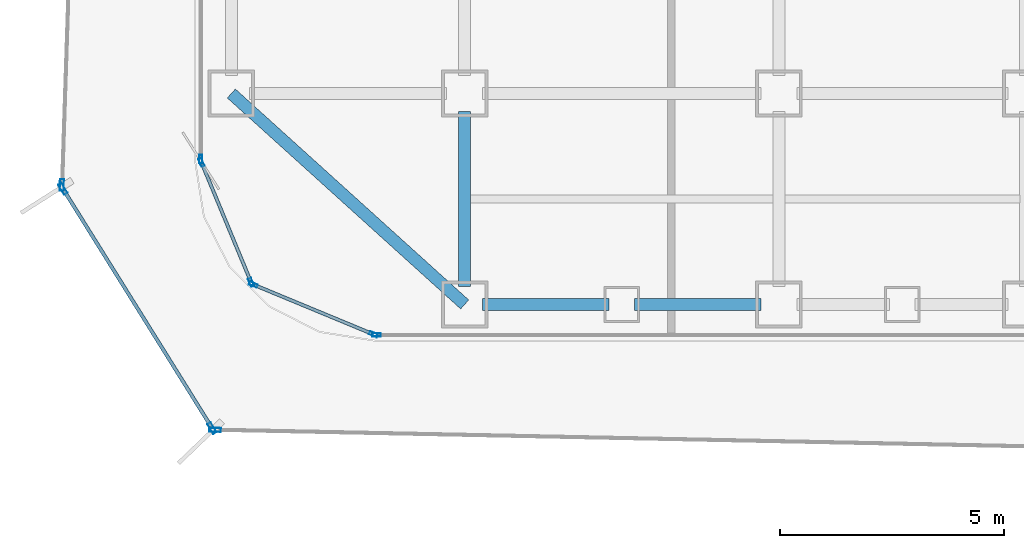
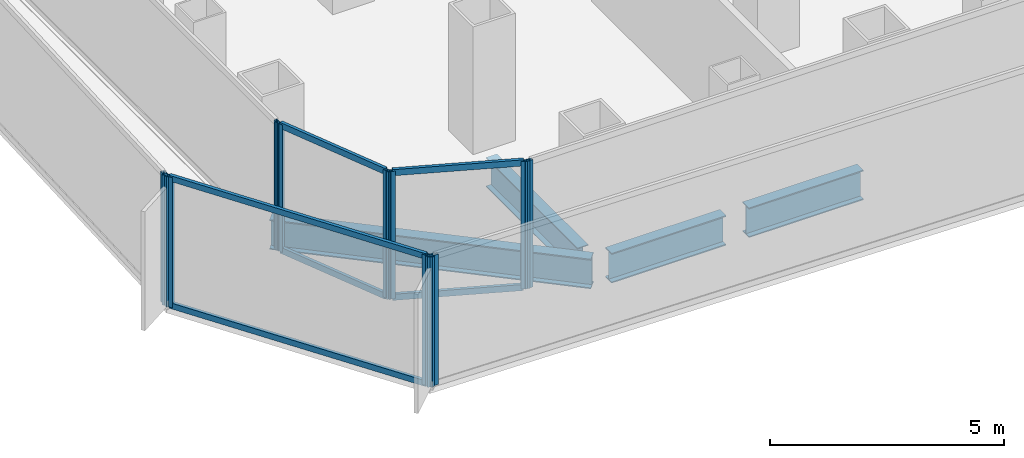
# One storey, part 2 of 21: 16 members, 4 beams, 7 elements without a shape of their own.
"""IFC4 building model written with IfcOpenShell, lengths in metres."""

from ifc_helpers import new_model, si_unit, direction, frame, origin, origin_2d, place, context, subcontext, project, spatial, hollow_rectangle, i_section, extrude, source, transform, mapped, material, layer, layer_set, material_profile, profile_set, type_object, element, aggregate, save


model = new_model("IFC4")

# Units and contexts
model_context = context("Model", 3, precision=1e-05, world=origin(), true_north=direction((0.0, 1.0)))
body_context = subcontext(model_context, "Body", "Model", "MODEL_VIEW")
ifc_project = project(units=[si_unit("LENGTHUNIT", "METRE"), si_unit("AREAUNIT", "SQUARE_METRE"), si_unit("VOLUMEUNIT", "CUBIC_METRE"), si_unit("PLANEANGLEUNIT", "RADIAN"), si_unit("MASSUNIT", "GRAM", prefix="KILO")], contexts=[model_context])

# Site, building, storey
site_placement = place(None, origin())
site = spatial("IfcSite", under=ifc_project, at=site_placement, CompositionType="ELEMENT")
building_placement = place(site_placement, origin())
building = spatial("IfcBuilding", under=site, at=building_placement, Name="Kolveth Station Tower", CompositionType="ELEMENT")
storey_placement = place(building_placement, frame((0.0, 0.0, 47.699951171875)))
storey = spatial("IfcBuildingStorey", under=building, at=storey_placement, Name="L12", CompositionType="ELEMENT", Elevation=47.699951171875)

# Beams
ifc_material_1 = material(Name="Steel S355", Category="steel")
ifc_material_profile_1 = material_profile(ifc_material_1, i_section(OverallWidth=0.26904296875, OverallDepth=0.77490234375, WebThickness=0.01708984375, FlangeThickness=0.0283203125, at=origin_2d()), Name="W760x220")
ifc_profile_set_1 = profile_set([ifc_material_profile_1], Name="Steel S355")
beam_type_1 = type_object("IfcBeamType", Name="Beam_SP1", PredefinedType="SPANDREL", material=ifc_profile_set_1)
shared_shape_1 = source(origin(), body_context, "Body", "SweptSolid", [
    extrude(i_section(OverallWidth=0.26904296875, OverallDepth=0.77490234375, WebThickness=0.01708984375, FlangeThickness=0.0283203125, at=origin_2d()), origin(), (0.0, 0.0, 1.0), 7.00927734375),
])
beam_1_placement = place(storey_placement, frame((0.800048828125, 5.5, -0.66748046875), z_axis=(0.741874009795, -0.670539300557, 0.0), x_axis=(0.670539300557, 0.741874009795, 0.0)))
element("IfcBeam", 1, at=beam_1_placement, inside=storey, type_object=beam_type_1, Name="L12 Corner Edge Girder BM-L12-CNR-SW", PredefinedType="SPANDREL", context=body_context, shape_type="MappedRepresentation", body=[
    mapped(shared_shape_1, transform((0.0, 0.0, 0.0), x_axis=(1.0, 0.0, 0.0), y_axis=(0.0, 1.0, 0.0), z_axis=(0.0, 0.0, 1.0), scale=1.0)),
])
shared_shape_2 = source(origin(), body_context, "Body", "SweptSolid", [
    extrude(i_section(OverallWidth=0.26904296875, OverallDepth=0.77490234375, WebThickness=0.01708984375, FlangeThickness=0.0283203125, at=origin_2d()), origin(), (0.0, 0.0, 1.0), 2.820068359375),
])
for number, where, z_axis, x_axis, name in (
    (2, (6.39990234375, 0.800048828125, -0.66748046875), (1.0, 0.0, 0.0), (0.0, 1.0, 0.0), "L12 Perimeter Spandrel BM-L12-PS-1"),
    (3, (9.780029296875, 0.800048828125, -0.66748046875), (1.0, 0.0, 0.0), (0.0, 1.0, 0.0), "L12 Perimeter Spandrel BM-L12-PS-2"),
):
    element("IfcBeam", number, at=place(storey_placement, frame(where, z_axis=z_axis, x_axis=x_axis)), inside=storey, type_object=beam_type_1, Name=name, PredefinedType="SPANDREL", context=body_context, shape_type="MappedRepresentation", body=[
        mapped(shared_shape_2, transform((0.0, 0.0, 0.0), x_axis=(1.0, 0.0, 0.0), y_axis=(0.0, 1.0, 0.0), z_axis=(0.0, 0.0, 1.0), scale=1.0)),
    ])
ifc_material_profile_2 = material_profile(ifc_material_1, i_section(OverallWidth=0.26708984375, OverallDepth=0.76611328125, WebThickness=0.014892578125, FlangeThickness=0.023681640625, at=origin_2d()), Name="W760x185")
ifc_profile_set_2 = profile_set([ifc_material_profile_2], Name="Steel S355")
beam_type_2 = type_object("IfcBeamType", Name="Beam_B3", PredefinedType="BEAM", material=ifc_profile_set_2)
shared_shape_3 = source(origin(), body_context, "Body", "SweptSolid", [
    extrude(i_section(OverallWidth=0.26708984375, OverallDepth=0.76611328125, WebThickness=0.014892578125, FlangeThickness=0.023681640625, at=origin_2d()), origin(), (0.0, 0.0, 1.0), 3.900146484375),
])
beam_2_placement = place(storey_placement, frame((6.0, 1.199951171875, -0.662841796875), z_axis=(0.0, 1.0, 0.0), x_axis=(-1.0, 0.0, 0.0)))
element("IfcBeam", 4, at=beam_2_placement, inside=storey, type_object=beam_type_2, Name="L12 Primary Girder BM-L12-GX60-1", PredefinedType="BEAM", context=body_context, shape_type="MappedRepresentation", body=[
    mapped(shared_shape_3, transform((0.0, 0.0, 0.0), x_axis=(1.0, 0.0, 0.0), y_axis=(0.0, 1.0, 0.0), z_axis=(0.0, 0.0, 1.0), scale=1.0)),
])

# Curtain wall, member
ifc_material_2 = material(Name="Aluminium 6063-T6 and low-E dark glass", Category="aluminium")
ifc_layer_1 = layer(ifc_material_2, 0.179931640625)
ifc_layer_set_1 = layer_set([ifc_layer_1], Name="Aluminium 6063-T6 and low-E dark glass")
curtain_wall_type_1 = type_object("IfcCurtainWallType", Name="CurtainWall_CW-Z1", PredefinedType="NOTDEFINED", material=ifc_layer_set_1)
curtain_wall_1_placement = place(storey_placement, origin())
curtain_wall_1 = element("IfcCurtainWall", 5, at=curtain_wall_1_placement, inside=storey, type_object=curtain_wall_type_1, Name="L12 Inner Thermal Curtain Wall 9", PredefinedType="NOTDEFINED")
ifc_material_3 = material(Name="Black anodized aluminium 6063-T6", Category="aluminium")
ifc_material_profile_3 = material_profile(ifc_material_3, hollow_rectangle(XDim=0.074951171875, YDim=0.18994140625, WallThickness=0.0048828125, at=origin_2d()), Name="ALU-75x190x5")
ifc_profile_set_3 = profile_set([ifc_material_profile_3], Name="Black anodized aluminium 6063-T6")
member_type_1 = type_object("IfcMemberType", Name="Mullion_ML1", PredefinedType="MULLION", material=ifc_profile_set_3)
shared_shape_4 = source(origin(), body_context, "Body", "SweptSolid", [
    extrude(hollow_rectangle(XDim=0.074951171875, YDim=0.18994140625, WallThickness=0.0048828125, at=origin_2d()), origin(), (0.0, 0.0, 1.0), 3.320068359375),
])
member_1_placement = place(storey_placement, frame((0.1201171875, 4.03759765625, 0.0), z_axis=(0.0, 0.0, 1.0), x_axis=(1.0, 0.0, 0.0)))
member_1 = element("IfcMember", 6, at=member_1_placement, type_object=member_type_1, Name="CW-Z1 mullion 2", PredefinedType="MULLION", context=body_context, shape_type="MappedRepresentation", body=[
    mapped(shared_shape_4, transform((0.0, 0.0, 0.0), x_axis=(1.0, 0.0, 0.0), y_axis=(0.0, 1.0, 0.0), z_axis=(0.0, 0.0, 1.0), scale=1.0)),
])
aggregate(curtain_wall_1, [member_1])

# Curtain wall, members
curtain_wall_2_placement = place(storey_placement, origin())
curtain_wall_2 = element("IfcCurtainWall", 7, at=curtain_wall_2_placement, inside=storey, type_object=curtain_wall_type_1, Name="L12 Inner Thermal Curtain Wall 10", PredefinedType="NOTDEFINED")
member_2_placement = place(storey_placement, frame((0.13427734375, 3.96533203125, 0.0), z_axis=(0.0, 0.0, 1.0), x_axis=(0.923883857728, 0.382672990201, 0.0)))
member_2 = element("IfcMember", 8, at=member_2_placement, type_object=member_type_1, Name="CW-Z1 mullion 1", PredefinedType="MULLION", context=body_context, shape_type="MappedRepresentation", body=[
    mapped(shared_shape_4, transform((0.0, 0.0, 0.0), x_axis=(1.0, 0.0, 0.0), y_axis=(0.0, 1.0, 0.0), z_axis=(0.0, 0.0, 1.0), scale=1.0)),
])
member_3_placement = place(storey_placement, frame((1.241943359375, 1.291015625, 0.0), z_axis=(0.0, 0.0, 1.0), x_axis=(0.923883857728, 0.382672990201, 0.0)))
member_3 = element("IfcMember", 9, at=member_3_placement, type_object=member_type_1, Name="CW-Z1 mullion 2", PredefinedType="MULLION", context=body_context, shape_type="MappedRepresentation", body=[
    mapped(shared_shape_4, transform((0.0, 0.0, 0.0), x_axis=(1.0, 0.0, 0.0), y_axis=(0.0, 1.0, 0.0), z_axis=(0.0, 0.0, 1.0), scale=1.0)),
])

curtain_wall_3_placement = place(storey_placement, origin())
curtain_wall_3 = element("IfcCurtainWall", 10, at=curtain_wall_3_placement, inside=storey, type_object=curtain_wall_type_1, Name="L12 Inner Thermal Curtain Wall 11", PredefinedType="NOTDEFINED")
member_4_placement = place(storey_placement, frame((1.291015625, 1.241943359375, 0.0), z_axis=(0.0, 0.0, 1.0), x_axis=(0.382672990201, 0.923883857728, 0.0)))
member_4 = element("IfcMember", 11, at=member_4_placement, type_object=member_type_1, Name="CW-Z1 mullion 1", PredefinedType="MULLION", context=body_context, shape_type="MappedRepresentation", body=[
    mapped(shared_shape_4, transform((0.0, 0.0, 0.0), x_axis=(1.0, 0.0, 0.0), y_axis=(0.0, 1.0, 0.0), z_axis=(0.0, 0.0, 1.0), scale=1.0)),
])
member_5_placement = place(storey_placement, frame((3.96533203125, 0.13427734375, 0.0), z_axis=(0.0, 0.0, 1.0), x_axis=(0.382672990201, 0.923883857728, 0.0)))
member_5 = element("IfcMember", 12, at=member_5_placement, type_object=member_type_1, Name="CW-Z1 mullion 2", PredefinedType="MULLION", context=body_context, shape_type="MappedRepresentation", body=[
    mapped(shared_shape_4, transform((0.0, 0.0, 0.0), x_axis=(1.0, 0.0, 0.0), y_axis=(0.0, 1.0, 0.0), z_axis=(0.0, 0.0, 1.0), scale=1.0)),
])

# Curtain wall, member
curtain_wall_4_placement = place(storey_placement, origin())
curtain_wall_4 = element("IfcCurtainWall", 13, at=curtain_wall_4_placement, inside=storey, type_object=curtain_wall_type_1, Name="L12 Inner Thermal Curtain Wall 12", PredefinedType="NOTDEFINED")
member_6_placement = place(storey_placement, frame((4.03759765625, 0.1201171875, 0.0), z_axis=(0.0, 0.0, 1.0), x_axis=(0.0, 1.0, 0.0)))
member_6 = element("IfcMember", 14, at=member_6_placement, type_object=member_type_1, Name="CW-Z1 mullion 1", PredefinedType="MULLION", context=body_context, shape_type="MappedRepresentation", body=[
    mapped(shared_shape_4, transform((0.0, 0.0, 0.0), x_axis=(1.0, 0.0, 0.0), y_axis=(0.0, 1.0, 0.0), z_axis=(0.0, 0.0, 1.0), scale=1.0)),
])
aggregate(curtain_wall_4, [member_6])

# Member
ifc_material_profile_4 = material_profile(ifc_material_3, hollow_rectangle(XDim=0.074951171875, YDim=0.159912109375, WallThickness=0.0048828125, at=origin_2d()), Name="ALU-75x160x5")
ifc_profile_set_4 = profile_set([ifc_material_profile_4], Name="Black anodized aluminium 6063-T6")
member_type_2 = type_object("IfcMemberType", Name="Transom_TR1", PredefinedType="USERDEFINED", material=ifc_profile_set_4)
shared_shape_5 = source(origin(), body_context, "Body", "SweptSolid", [
    extrude(hollow_rectangle(XDim=0.074951171875, YDim=0.159912109375, WallThickness=0.0048828125, at=origin_2d()), origin(), (0.0, 0.0, 1.0), 2.819580078125),
])
member_7_placement = place(storey_placement, frame((0.148681640625, 3.9306640625, 0.03759765625), z_axis=(0.382708655389, -0.923869084389, 0.0), x_axis=(0.923869084389, 0.382708655389, 0.0)))
member_7 = element("IfcMember", 15, at=member_7_placement, type_object=member_type_2, Name="CW-Z1 transom 1.1", ObjectType="TRANSOM", PredefinedType="USERDEFINED", context=body_context, shape_type="MappedRepresentation", body=[
    mapped(shared_shape_5, transform((0.0, 0.0, 0.0), x_axis=(1.0, 0.0, 0.0), y_axis=(0.0, 1.0, 0.0), z_axis=(0.0, 0.0, 1.0), scale=1.0)),
])

member_8_placement = place(storey_placement, frame((0.148681640625, 3.9306640625, 3.282470703125), z_axis=(0.382708655389, -0.923869084389, 0.0), x_axis=(0.923869084389, 0.382708655389, 0.0)))
member_8 = element("IfcMember", 16, at=member_8_placement, type_object=member_type_2, Name="CW-Z1 transom 1.2", ObjectType="TRANSOM", PredefinedType="USERDEFINED", context=body_context, shape_type="MappedRepresentation", body=[
    mapped(shared_shape_5, transform((0.0, 0.0, 0.0), x_axis=(1.0, 0.0, 0.0), y_axis=(0.0, 1.0, 0.0), z_axis=(0.0, 0.0, 1.0), scale=1.0)),
])

aggregate(curtain_wall_2, [member_2, member_3, member_7, member_8])

member_9_placement = place(storey_placement, frame((1.32568359375, 1.227783203125, 0.03759765625), z_axis=(0.923869084389, -0.382708655389, 0.0), x_axis=(0.382708655389, 0.923869084389, 0.0)))
member_9 = element("IfcMember", 17, at=member_9_placement, type_object=member_type_2, Name="CW-Z1 transom 1.1", ObjectType="TRANSOM", PredefinedType="USERDEFINED", context=body_context, shape_type="MappedRepresentation", body=[
    mapped(shared_shape_5, transform((0.0, 0.0, 0.0), x_axis=(1.0, 0.0, 0.0), y_axis=(0.0, 1.0, 0.0), z_axis=(0.0, 0.0, 1.0), scale=1.0)),
])

member_10_placement = place(storey_placement, frame((1.32568359375, 1.227783203125, 3.282470703125), z_axis=(0.923869084389, -0.382708655389, 0.0), x_axis=(0.382708655389, 0.923869084389, 0.0)))
member_10 = element("IfcMember", 18, at=member_10_placement, type_object=member_type_2, Name="CW-Z1 transom 1.2", ObjectType="TRANSOM", PredefinedType="USERDEFINED", context=body_context, shape_type="MappedRepresentation", body=[
    mapped(shared_shape_5, transform((0.0, 0.0, 0.0), x_axis=(1.0, 0.0, 0.0), y_axis=(0.0, 1.0, 0.0), z_axis=(0.0, 0.0, 1.0), scale=1.0)),
])

aggregate(curtain_wall_3, [member_4, member_5, member_9, member_10])

# Curtain wall, member
ifc_material_4 = material(Name="Black anodized aluminium 6063-T6 and dark solar glass", Category="aluminium")
ifc_layer_2 = layer(ifc_material_4, 0.159912109375)
ifc_layer_set_2 = layer_set([ifc_layer_2], Name="Black anodized aluminium 6063-T6 and dark solar glass")
curtain_wall_type_2 = type_object("IfcCurtainWallType", Name="OUTER SKIN CW-OS", PredefinedType="NOTDEFINED", material=ifc_layer_set_2)
curtain_wall_5_placement = place(storey_placement, origin())
curtain_wall_5 = element("IfcCurtainWall", 19, at=curtain_wall_5_placement, inside=storey, type_object=curtain_wall_type_2, Name="L12 Outer Ventilated Skin Curtain Wall 6", PredefinedType="NOTDEFINED")
ifc_material_profile_5 = material_profile(ifc_material_3, hollow_rectangle(XDim=0.090087890625, YDim=0.260009765625, WallThickness=0.0048828125, at=origin_2d()), Name="ALU-90x260x5")
ifc_profile_set_5 = profile_set([ifc_material_profile_5], Name="Black anodized aluminium 6063-T6")
member_type_3 = type_object("IfcMemberType", Name="FIN MULLION ML-OS", PredefinedType="MULLION", material=ifc_profile_set_5)
shared_shape_6 = source(origin(), body_context, "Body", "SweptSolid", [
    extrude(hollow_rectangle(XDim=0.090087890625, YDim=0.260009765625, WallThickness=0.0048828125, at=origin_2d()), origin(), (0.0, 0.0, 1.0), 3.39013671875),
])
member_11_placement = place(storey_placement, frame((-2.975830078125, 3.461669921875, 0.0), z_axis=(0.0, 0.0, 1.0), x_axis=(0.999457319314, -0.032940353211, 0.0)))
member_11 = element("IfcMember", 20, at=member_11_placement, type_object=member_type_3, Name="CW-OS mullion 2", PredefinedType="MULLION", context=body_context, shape_type="MappedRepresentation", body=[
    mapped(shared_shape_6, transform((0.0, 0.0, 0.0), x_axis=(1.0, 0.0, 0.0), y_axis=(0.0, 1.0, 0.0), z_axis=(0.0, 0.0, 1.0), scale=1.0)),
])
aggregate(curtain_wall_5, [member_11])

# Curtain wall, members
curtain_wall_6_placement = place(storey_placement, origin())
curtain_wall_6 = element("IfcCurtainWall", 21, at=curtain_wall_6_placement, inside=storey, type_object=curtain_wall_type_2, Name="L12 Outer Ventilated Skin Curtain Wall 7", PredefinedType="NOTDEFINED")
member_12_placement = place(storey_placement, frame((-2.95361328125, 3.37841796875, 0.0), z_axis=(0.0, 0.0, 1.0), x_axis=(0.848690115585, 0.528890430721, 0.0)))
member_12 = element("IfcMember", 22, at=member_12_placement, type_object=member_type_3, Name="CW-OS mullion 1", PredefinedType="MULLION", context=body_context, shape_type="MappedRepresentation", body=[
    mapped(shared_shape_6, transform((0.0, 0.0, 0.0), x_axis=(1.0, 0.0, 0.0), y_axis=(0.0, 1.0, 0.0), z_axis=(0.0, 0.0, 1.0), scale=1.0)),
])
member_13_placement = place(storey_placement, frame((0.37109375, -1.95654296875, 0.0), z_axis=(0.0, 0.0, 1.0), x_axis=(0.848690115585, 0.528890430721, 0.0)))
member_13 = element("IfcMember", 23, at=member_13_placement, type_object=member_type_3, Name="CW-OS mullion 2", PredefinedType="MULLION", context=body_context, shape_type="MappedRepresentation", body=[
    mapped(shared_shape_6, transform((0.0, 0.0, 0.0), x_axis=(1.0, 0.0, 0.0), y_axis=(0.0, 1.0, 0.0), z_axis=(0.0, 0.0, 1.0), scale=1.0)),
])

# Curtain wall, member
curtain_wall_7_placement = place(storey_placement, origin())
curtain_wall_7 = element("IfcCurtainWall", 24, at=curtain_wall_7_placement, inside=storey, type_object=curtain_wall_type_2, Name="L12 Outer Ventilated Skin Curtain Wall 8", PredefinedType="NOTDEFINED")
member_14_placement = place(storey_placement, frame((0.43994140625, -1.99560546875, 0.0), z_axis=(0.0, 0.0, 1.0), x_axis=(0.020398395319, 0.999791931088, 0.0)))
member_14 = element("IfcMember", 25, at=member_14_placement, type_object=member_type_3, Name="CW-OS mullion 1", PredefinedType="MULLION", context=body_context, shape_type="MappedRepresentation", body=[
    mapped(shared_shape_6, transform((0.0, 0.0, 0.0), x_axis=(1.0, 0.0, 0.0), y_axis=(0.0, 1.0, 0.0), z_axis=(0.0, 0.0, 1.0), scale=1.0)),
])
aggregate(curtain_wall_7, [member_14])

# Member
ifc_material_profile_6 = material_profile(ifc_material_3, hollow_rectangle(XDim=0.080078125, YDim=0.14990234375, WallThickness=0.0048828125, at=origin_2d()), Name="ALU-80x150x5")
ifc_profile_set_6 = profile_set([ifc_material_profile_6], Name="Black anodized aluminium 6063-T6")
member_type_4 = type_object("IfcMemberType", Name="Transom_TR-OS", PredefinedType="USERDEFINED", material=ifc_profile_set_6)
shared_shape_7 = source(origin(), body_context, "Body", "SweptSolid", [
    extrude(hollow_rectangle(XDim=0.080078125, YDim=0.14990234375, WallThickness=0.0048828125, at=origin_2d()), origin(), (0.0, 0.0, 1.0), 6.1962890625),
])
member_15_placement = place(storey_placement, frame((-2.9296875, 3.34033203125, 0.0400390625), z_axis=(0.528879313599, -0.848697043501, 0.0), x_axis=(0.848697043501, 0.528879313599, 0.0)))
member_15 = element("IfcMember", 26, at=member_15_placement, type_object=member_type_4, Name="CW-OS transom 1.1", ObjectType="TRANSOM", PredefinedType="USERDEFINED", context=body_context, shape_type="MappedRepresentation", body=[
    mapped(shared_shape_7, transform((0.0, 0.0, 0.0), x_axis=(1.0, 0.0, 0.0), y_axis=(0.0, 1.0, 0.0), z_axis=(0.0, 0.0, 1.0), scale=1.0)),
])

member_16_placement = place(storey_placement, frame((-2.9296875, 3.34033203125, 3.35009765625), z_axis=(0.528879313599, -0.848697043501, 0.0), x_axis=(0.848697043501, 0.528879313599, 0.0)))
member_16 = element("IfcMember", 27, at=member_16_placement, type_object=member_type_4, Name="CW-OS transom 1.2", ObjectType="TRANSOM", PredefinedType="USERDEFINED", context=body_context, shape_type="MappedRepresentation", body=[
    mapped(shared_shape_7, transform((0.0, 0.0, 0.0), x_axis=(1.0, 0.0, 0.0), y_axis=(0.0, 1.0, 0.0), z_axis=(0.0, 0.0, 1.0), scale=1.0)),
])

aggregate(curtain_wall_6, [member_12, member_13, member_15, member_16])

save(model, "model.ifc")
